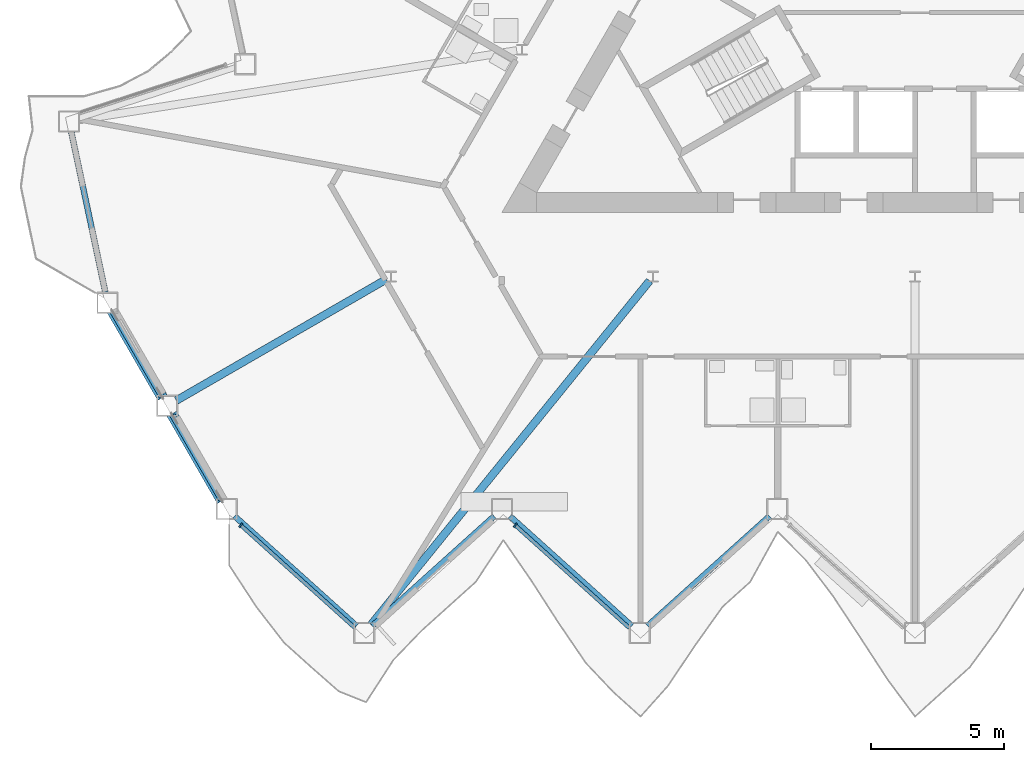
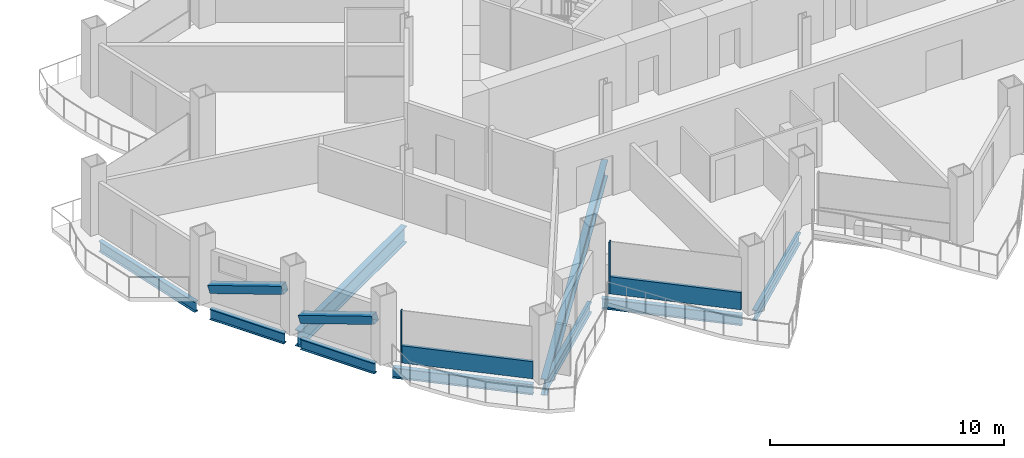
# One storey, part 3 of 24: 9 beams, 6 members, 2 elements without a shape of their own.
"""IFC4 building model written with IfcOpenShell, lengths in metres."""

from ifc_helpers import new_model, si_unit, direction, frame, origin, origin_2d, place, context, subcontext, project, spatial, rectangle, hollow_rectangle, i_section, extrude, material, layer, layer_set, material_profile, profile_set, type_object, element, aggregate, save


model = new_model("IFC4")

# Units and contexts
model_context = context("Model", 3, precision=1e-05, world=origin(), true_north=direction((0.0, 1.0)))
body_context = subcontext(model_context, "Body", "Model", "MODEL_VIEW")
ifc_project = project(units=[si_unit("LENGTHUNIT", "METRE"), si_unit("AREAUNIT", "SQUARE_METRE"), si_unit("VOLUMEUNIT", "CUBIC_METRE"), si_unit("PLANEANGLEUNIT", "RADIAN"), si_unit("MASSUNIT", "GRAM", prefix="KILO")], contexts=[model_context])

# Site, building, storey
site_placement = place(None, origin())
site = spatial("IfcSite", under=ifc_project, at=site_placement, CompositionType="ELEMENT")
building_placement = place(site_placement, origin())
building = spatial("IfcBuilding", under=site, at=building_placement, Name="Cormorant Prow Tower", CompositionType="ELEMENT")
storey_placement = place(building_placement, frame((0.0, 0.0, 201.60009765625)))
storey = spatial("IfcBuildingStorey", under=building, at=storey_placement, Name="L44", CompositionType="ELEMENT", Elevation=201.60009765625)

# Members
ifc_material_1 = material(Name="Structural steel ASTM A500 Gr C", Category="steel")
ifc_material_profile_1 = material_profile(ifc_material_1, hollow_rectangle(XDim=0.406494140625, YDim=0.406494140625, WallThickness=0.01171875, at=origin_2d()), Name="HSS16x16x1/2")
ifc_profile_set_1 = profile_set([ifc_material_profile_1], Name="Structural steel ASTM A500 Gr C")
member_type_1 = type_object("IfcMemberType", Name="Chamfer brace HSS16x16x1/2", PredefinedType="BRACE", material=ifc_profile_set_1)
member_1_placement = place(storey_placement, frame((-30.08544921875, -12.689453125, 0.739990234375), z_axis=(0.473992878603, -0.821006330213, 0.318244177926), x_axis=(0.866032413668, 0.499987858329, 0.0)))
element("IfcMember", 1, at=member_1_placement, inside=storey, type_object=member_type_1, Name="Chamfer brace BR2 at WSW00 L44", PredefinedType="BRACE", context=body_context, shape_type="SweptSolid", body=[
    extrude(hollow_rectangle(XDim=0.406494140625, YDim=0.406494140625, WallThickness=0.01171875, at=origin_2d()), origin(), (0.0, 0.0, 1.0), 3.835693359375),
])
member_2_placement = place(storey_placement, frame((-27.850341796875, -16.56103515625, 0.739990234375), z_axis=(0.474017648602, -0.820985582338, 0.318260808783), x_axis=(0.866015628144, 0.500016931523, 0.0)))
element("IfcMember", 2, at=member_2_placement, inside=storey, type_object=member_type_1, Name="Chamfer brace BR2 at WSW01 L44", PredefinedType="BRACE", context=body_context, shape_type="SweptSolid", body=[
    extrude(hollow_rectangle(XDim=0.406494140625, YDim=0.406494140625, WallThickness=0.01171875, at=origin_2d()), origin(), (0.0, 0.0, 1.0), 3.83544921875),
])

# Curtain wall, member
ifc_material_2 = material(Name="Aluminium 6063-T6", Category="aluminium")
ifc_layer = layer(ifc_material_2, 0.179931640625)
ifc_layer_set = layer_set([ifc_layer], Name="Aluminium 6063-T6")
curtain_wall_type = type_object("IfcCurtainWallType", Name="Hotel unitised curtain wall 180", PredefinedType="NOTDEFINED", material=ifc_layer_set)
curtain_wall_1_placement = place(storey_placement, origin())
curtain_wall_1 = element("IfcCurtainWall", 3, at=curtain_wall_1_placement, inside=storey, type_object=curtain_wall_type, Name="Hotel curtain wall S00", PredefinedType="NOTDEFINED")
ifc_material_3 = material(Name="Aluminium 6063-T6", Category="aluminium")
ifc_material_profile_2 = material_profile(ifc_material_3, rectangle(XDim=0.179931640625, YDim=0.06005859375, at=origin_2d()), Name="Hotel mullion 60x180")
ifc_profile_set_2 = profile_set([ifc_material_profile_2], Name="Aluminium 6063-T6")
member_type_2 = type_object("IfcMemberType", Name="Hotel mullion 60x180", PredefinedType="MULLION", material=ifc_profile_set_2)
member_3_placement = place(storey_placement, frame((-25.295654296875, -20.68017578125, 0.0), z_axis=(0.0, 0.0, 1.0), x_axis=(0.669130667631, 0.743144770308, 0.0)))
member_3 = element("IfcMember", 4, at=member_3_placement, type_object=member_type_2, Name="Hotel mullion S00", PredefinedType="MULLION", context=body_context, shape_type="SweptSolid", body=[
    extrude(rectangle(XDim=0.179931640625, YDim=0.06005859375, at=origin_2d()), origin(), (0.0, 0.0, 1.0), 2.70068359375),
])

curtain_wall_2_placement = place(storey_placement, origin())
curtain_wall_2 = element("IfcCurtainWall", 5, at=curtain_wall_2_placement, inside=storey, type_object=curtain_wall_type, Name="Hotel curtain wall S02", PredefinedType="NOTDEFINED")
member_4_placement = place(storey_placement, frame((-14.999755859375, -20.68017578125, 0.0), z_axis=(0.0, 0.0, 1.0), x_axis=(0.669130667631, 0.743144770308, 0.0)))
member_4 = element("IfcMember", 6, at=member_4_placement, type_object=member_type_2, Name="Hotel mullion S02", PredefinedType="MULLION", context=body_context, shape_type="SweptSolid", body=[
    extrude(rectangle(XDim=0.179931640625, YDim=0.06005859375, at=origin_2d()), origin(), (0.0, 0.0, 1.0), 2.70068359375),
])

# Member
ifc_material_4 = material(Name="Terracotta", Category="masonry")
ifc_material_profile_3 = material_profile(ifc_material_4, rectangle(XDim=0.139892578125, YDim=0.89990234375, at=origin_2d()), Name="Hotel terracotta spandrel rail 140x900")
ifc_profile_set_3 = profile_set([ifc_material_profile_3], Name="Terracotta")
member_type_3 = type_object("IfcMemberType", Name="Hotel terracotta spandrel rail 140x900", PredefinedType="USERDEFINED", material=ifc_profile_set_3)
member_5_placement = place(storey_placement, frame((-25.2734375, -20.7001953125, 0.449951171875), z_axis=(0.743154335217, -0.669120044572, 0.0), x_axis=(0.669120044572, 0.743154335217, 0.0)))
member_5 = element("IfcMember", 7, at=member_5_placement, type_object=member_type_3, Name="Hotel spandrel rail S00", ObjectType="TRANSOM", PredefinedType="USERDEFINED", context=body_context, shape_type="SweptSolid", body=[
    extrude(rectangle(XDim=0.139892578125, YDim=0.89990234375, at=origin_2d()), origin(), (0.0, 0.0, 1.0), 5.7314453125),
])

aggregate(curtain_wall_1, [member_3, member_5])

member_6_placement = place(storey_placement, frame((-14.977294921875, -20.7001953125, 0.449951171875), z_axis=(0.743135262532, -0.669141226933, 0.0), x_axis=(0.669141226933, 0.743135262532, 0.0)))
member_6 = element("IfcMember", 8, at=member_6_placement, type_object=member_type_3, Name="Hotel spandrel rail S02", ObjectType="TRANSOM", PredefinedType="USERDEFINED", context=body_context, shape_type="SweptSolid", body=[
    extrude(rectangle(XDim=0.139892578125, YDim=0.89990234375, at=origin_2d()), origin(), (0.0, 0.0, 1.0), 5.731201171875),
])

aggregate(curtain_wall_2, [member_4, member_6])

# Beams
ifc_material_5 = material(Name="Structural steel ASTM A992 Gr 50", Category="steel")
ifc_material_profile_4 = material_profile(ifc_material_5, i_section(OverallWidth=0.29296875, OverallDepth=0.845703125, WebThickness=0.015380859375, FlangeThickness=0.0244140625, at=origin_2d()), Name="W33x141")
ifc_profile_set_4 = profile_set([ifc_material_profile_4], Name="Structural steel ASTM A992 Gr 50")
beam_type_1 = type_object("IfcBeamType", Name="Radial floor beam W33x141", PredefinedType="BEAM", material=ifc_profile_set_4)
beam_1_placement = place(storey_placement, frame((-19.833251953125, -11.45068359375, -0.77294921875), z_axis=(-0.866023373109, -0.500003517217, 0.0), x_axis=(0.500003517217, -0.866023373109, 0.0)))
element("IfcBeam", 9, at=beam_1_placement, inside=storey, type_object=beam_type_1, Name="Radial floor beam FB2 5 L44", PredefinedType="BEAM", context=body_context, shape_type="SweptSolid", body=[
    extrude(i_section(OverallWidth=0.29296875, OverallDepth=0.845703125, WebThickness=0.015380859375, FlangeThickness=0.0244140625, at=origin_2d()), origin(), (0.0, 0.0, 1.0), 9.09814453125),
])
beam_2_placement = place(storey_placement, frame((-9.95654296875, -11.50732421875, -0.77294921875), z_axis=(-0.629385162657, -0.777093505974, 0.0), x_axis=(0.777093505974, -0.629385162657, 0.0)))
element("IfcBeam", 10, at=beam_2_placement, inside=storey, type_object=beam_type_1, Name="Radial floor beam FB2 6 L44", PredefinedType="BEAM", context=body_context, shape_type="SweptSolid", body=[
    extrude(i_section(OverallWidth=0.29296875, OverallDepth=0.845703125, WebThickness=0.015380859375, FlangeThickness=0.0244140625, at=origin_2d()), origin(), (0.0, 0.0, 1.0), 16.6044921875),
])
ifc_material_6 = material(Name="Structural steel ASTM A992 Gr 50", Category="steel")
ifc_material_profile_5 = material_profile(ifc_material_6, i_section(OverallWidth=0.2138671875, OverallDepth=0.549072265625, WebThickness=0.0146484375, FlangeThickness=0.023681640625, at=origin_2d()), Name="W21x93")
ifc_profile_set_5 = profile_set([ifc_material_profile_5], Name="Structural steel ASTM A992 Gr 50")
beam_type_2 = type_object("IfcBeamType", Name="Spandrel beam W21x93", PredefinedType="SPANDREL", material=ifc_profile_set_5)
beam_3_placement = place(storey_placement, frame((-25.5263671875, -20.3388671875, -0.624755859375), z_axis=(0.743155953285, -0.669118247469, 0.0), x_axis=(0.669118247469, 0.743155953285, 0.0)))
element("IfcBeam", 11, at=beam_3_placement, inside=storey, type_object=beam_type_2, Name="Spandrel beam SB2 S00-S01 L44", PredefinedType="SPANDREL", context=body_context, shape_type="SweptSolid", body=[
    extrude(i_section(OverallWidth=0.2138671875, OverallDepth=0.549072265625, WebThickness=0.0146484375, FlangeThickness=0.023681640625, at=origin_2d()), origin(), (0.0, 0.0, 1.0), 6.14990234375),
])
for number, where, z_axis, x_axis, name in (
    (12, (-20.361572265625, -24.453857421875, -0.624755859375), (0.743138178716, 0.669137988261, 0.0), (-0.669137988261, 0.743138178716, 0.0), "Spandrel beam SB2 S01-S02 L44"),
    (13, (-15.19677734375, -20.3388671875, -0.624755859375), (0.743138178716, -0.669137988261, 0.0), (0.669137988261, 0.743138178716, 0.0), "Spandrel beam SB2 S02-S03 L44"),
):
    element("IfcBeam", number, at=place(storey_placement, frame(where, z_axis=z_axis, x_axis=x_axis)), inside=storey, type_object=beam_type_2, Name=name, PredefinedType="SPANDREL", context=body_context, shape_type="SweptSolid", body=[
        extrude(i_section(OverallWidth=0.2138671875, OverallDepth=0.549072265625, WebThickness=0.0146484375, FlangeThickness=0.023681640625, at=origin_2d()), origin(), (0.0, 0.0, 1.0), 6.149658203125),
    ])
beam_4_placement = place(storey_placement, frame((-10.0322265625, -24.453857421875, -0.624755859375), z_axis=(0.743155953285, 0.669118247469, 0.0), x_axis=(-0.669118247469, 0.743155953285, 0.0)))
element("IfcBeam", 14, at=beam_4_placement, inside=storey, type_object=beam_type_2, Name="Spandrel beam SB2 S03-S04 L44", PredefinedType="SPANDREL", context=body_context, shape_type="SweptSolid", body=[
    extrude(i_section(OverallWidth=0.2138671875, OverallDepth=0.549072265625, WebThickness=0.0146484375, FlangeThickness=0.023681640625, at=origin_2d()), origin(), (0.0, 0.0, 1.0), 6.14990234375),
])
beam_5_placement = place(storey_placement, frame((-31.65576171875, -5.921630859375, -0.624755859375), z_axis=(0.207904811195, -0.978149063018, 0.0), x_axis=(0.978149063018, 0.207904811195, 0.0)))
element("IfcBeam", 15, at=beam_5_placement, inside=storey, type_object=beam_type_2, Name="Spandrel beam SB2 WNW09-WSW00 L44", PredefinedType="SPANDREL", context=body_context, shape_type="SweptSolid", body=[
    extrude(i_section(OverallWidth=0.2138671875, OverallDepth=0.549072265625, WebThickness=0.0146484375, FlangeThickness=0.023681640625, at=origin_2d()), origin(), (0.0, 0.0, 1.0), 6.149658203125),
])
for number, where, z_axis, x_axis, name in (
    (16, (-30.093994140625, -12.674560546875, -0.624755859375), (0.499994986164, -0.866028298505, 0.0), (0.866028298505, 0.499994986164, 0.0), "Spandrel beam SB2 WSW00-WSW01 L44"),
    (17, (-27.85888671875, -16.546142578125, -0.624755859375), (0.499994986164, -0.866028298505, 0.0), (0.866028298505, 0.499994986164, 0.0), "Spandrel beam SB2 WSW01-S00 L44"),
):
    element("IfcBeam", number, at=place(storey_placement, frame(where, z_axis=z_axis, x_axis=x_axis)), inside=storey, type_object=beam_type_2, Name=name, PredefinedType="SPANDREL", context=body_context, shape_type="SweptSolid", body=[
        extrude(i_section(OverallWidth=0.2138671875, OverallDepth=0.549072265625, WebThickness=0.0146484375, FlangeThickness=0.023681640625, at=origin_2d()), origin(), (0.0, 0.0, 1.0), 3.67041015625),
    ])

save(model, "model.ifc")
